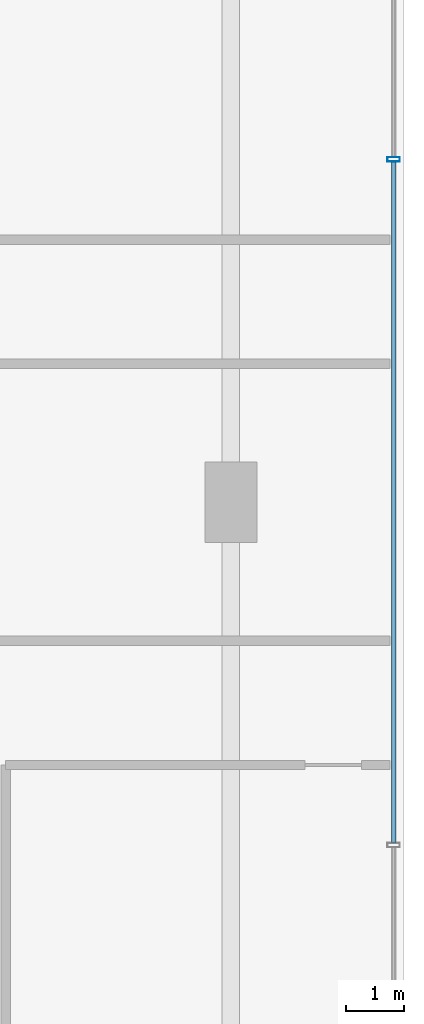
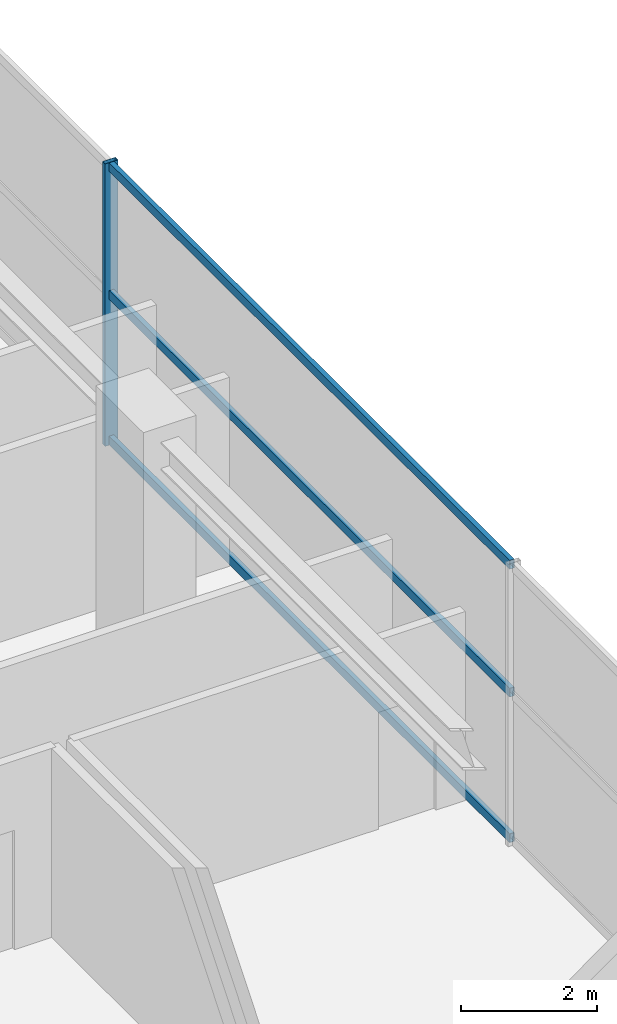
# One storey, part 23 of 34: 4 members, 1 element without a shape of its own.
"""IFC4 building model written with IfcOpenShell, lengths in metres."""

from ifc_helpers import new_model, si_unit, direction, frame, origin, origin_2d, place, context, subcontext, project, spatial, hollow_rectangle, extrude, source, transform, mapped, material, material_profile, profile_set, type_object, element, aggregate, save


model = new_model("IFC4")

# Units and contexts
model_context = context("Model", 3, precision=1e-05, world=origin(), true_north=direction((0.0, 1.0)))
body_context = subcontext(model_context, "Body", "Model", "MODEL_VIEW")
ifc_project = project(units=[si_unit("LENGTHUNIT", "METRE"), si_unit("AREAUNIT", "SQUARE_METRE"), si_unit("VOLUMEUNIT", "CUBIC_METRE"), si_unit("PLANEANGLEUNIT", "RADIAN"), si_unit("MASSUNIT", "GRAM", prefix="KILO")], contexts=[model_context])

# Site, building, storey
site_placement = place(None, origin())
site = spatial("IfcSite", under=ifc_project, at=site_placement, CompositionType="ELEMENT")
building_placement = place(site_placement, origin())
building = spatial("IfcBuilding", under=site, at=building_placement, Name="Nahalor Promenade Grand Hotel", CompositionType="ELEMENT")
storey_placement = place(building_placement, frame((0.0, 0.0, 16.199951171875)))
storey = spatial("IfcBuildingStorey", under=building, at=storey_placement, Name="L03", CompositionType="ELEMENT", Elevation=16.199951171875)

# Curtain wall, members
ifc_material = material(Name="Anodised Bronze Aluminium EN AW-6063 T6", Category="aluminium")
curtain_wall_type = type_object("IfcCurtainWallType", Name="CW1 Waterfront Podium Bronze Arcade Curtain Wall", PredefinedType="USERDEFINED", material=ifc_material)
curtain_wall_placement = place(storey_placement, origin())
curtain_wall = element("IfcCurtainWall", 1, at=curtain_wall_placement, inside=storey, type_object=curtain_wall_type, Name="L03 Curtain Wall CW-L03-E", ObjectType="UNITISED_CURTAIN_WALL", PredefinedType="USERDEFINED")
ifc_material_profile_1 = material_profile(ifc_material, hollow_rectangle(XDim=0.08, YDim=0.22, WallThickness=0.005, at=origin_2d()), Name="CWM 80x220x5")
ifc_profile_set_1 = profile_set([ifc_material_profile_1], Name="Anodised Bronze Aluminium EN AW-6063 T6")
member_type_1 = type_object("IfcMemberType", Name="CWM1 Podium Bronze Mullion 80x220", PredefinedType="MULLION", material=ifc_profile_set_1)
shared_shape_1 = source(origin(), body_context, "Body", "SweptSolid", [
    extrude(hollow_rectangle(XDim=0.08, YDim=0.22, WallThickness=0.005, at=origin_2d()), origin(), (0.0, 0.0, 1.0), 5.080078125),
])
member_1_placement = place(storey_placement, frame((35.820068359375, 5.93994140625, 0.0), z_axis=(0.0, 0.0, 1.0), x_axis=(0.0, 1.0, 0.0)))
member_1 = element("IfcMember", 2, at=member_1_placement, type_object=member_type_1, Name="CW-L03-E Mullion 2", PredefinedType="MULLION", context=body_context, shape_type="MappedRepresentation", body=[
    mapped(shared_shape_1, transform((0.0, 0.0, 0.0), scale=1.0)),
])
ifc_material_profile_2 = material_profile(ifc_material, hollow_rectangle(XDim=0.08, YDim=0.16, WallThickness=0.004, at=origin_2d()), Name="CWT 80x160x4")
ifc_profile_set_2 = profile_set([ifc_material_profile_2], Name="Anodised Bronze Aluminium EN AW-6063 T6")
member_type_2 = type_object("IfcMemberType", Name="CWT1 Podium Bronze Transom 80x160", PredefinedType="USERDEFINED", material=ifc_profile_set_2)
shared_shape_2 = source(origin(), body_context, "Body", "SweptSolid", [
    extrude(hollow_rectangle(XDim=0.08, YDim=0.16, WallThickness=0.004, at=origin_2d()), origin(), (0.0, 0.0, 1.0), 11.7998046875),
])
member_2_placement = place(storey_placement, frame((35.820068359375, -5.89990234375, 0.080078125), z_axis=(0.0, 1.0, 0.0), x_axis=(-1.0, 0.0, 0.0)))
member_2 = element("IfcMember", 3, at=member_2_placement, type_object=member_type_2, Name="CW-L03-E Transom 1-0", ObjectType="TRANSOM", PredefinedType="USERDEFINED", context=body_context, shape_type="MappedRepresentation", body=[
    mapped(shared_shape_2, transform((0.0, 0.0, 0.0), scale=1.0)),
])
member_3_placement = place(storey_placement, frame((35.820068359375, -5.89990234375, 2.699951171875), z_axis=(0.0, 1.0, 0.0), x_axis=(-1.0, 0.0, 0.0)))
member_3 = element("IfcMember", 4, at=member_3_placement, type_object=member_type_2, Name="CW-L03-E Transom 1-1", ObjectType="TRANSOM", PredefinedType="USERDEFINED", context=body_context, shape_type="MappedRepresentation", body=[
    mapped(shared_shape_2, transform((0.0, 0.0, 0.0), scale=1.0)),
])
member_4_placement = place(storey_placement, frame((35.820068359375, -5.89990234375, 5.0), z_axis=(0.0, 1.0, 0.0), x_axis=(-1.0, 0.0, 0.0)))
member_4 = element("IfcMember", 5, at=member_4_placement, type_object=member_type_2, Name="CW-L03-E Transom 1-2", ObjectType="TRANSOM", PredefinedType="USERDEFINED", context=body_context, shape_type="MappedRepresentation", body=[
    mapped(shared_shape_2, transform((0.0, 0.0, 0.0), scale=1.0)),
])
aggregate(curtain_wall, [member_1, member_2, member_3, member_4])

save(model, "model.ifc")
